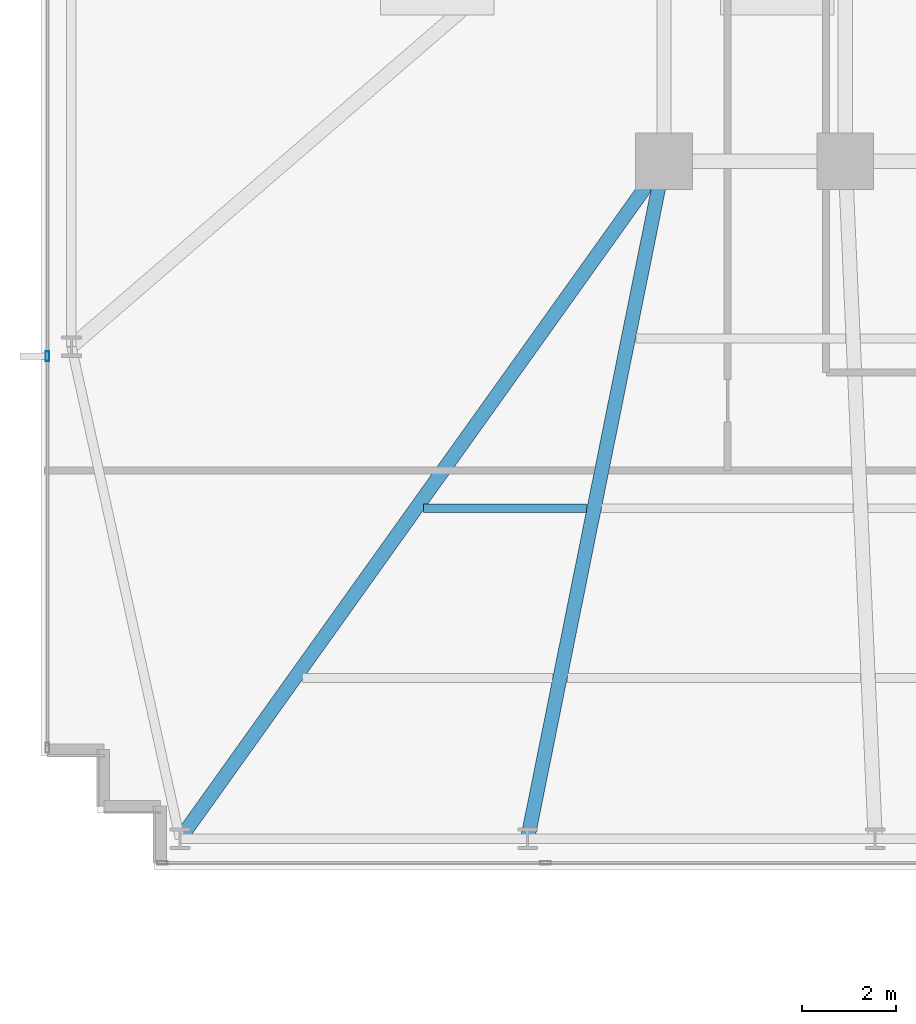
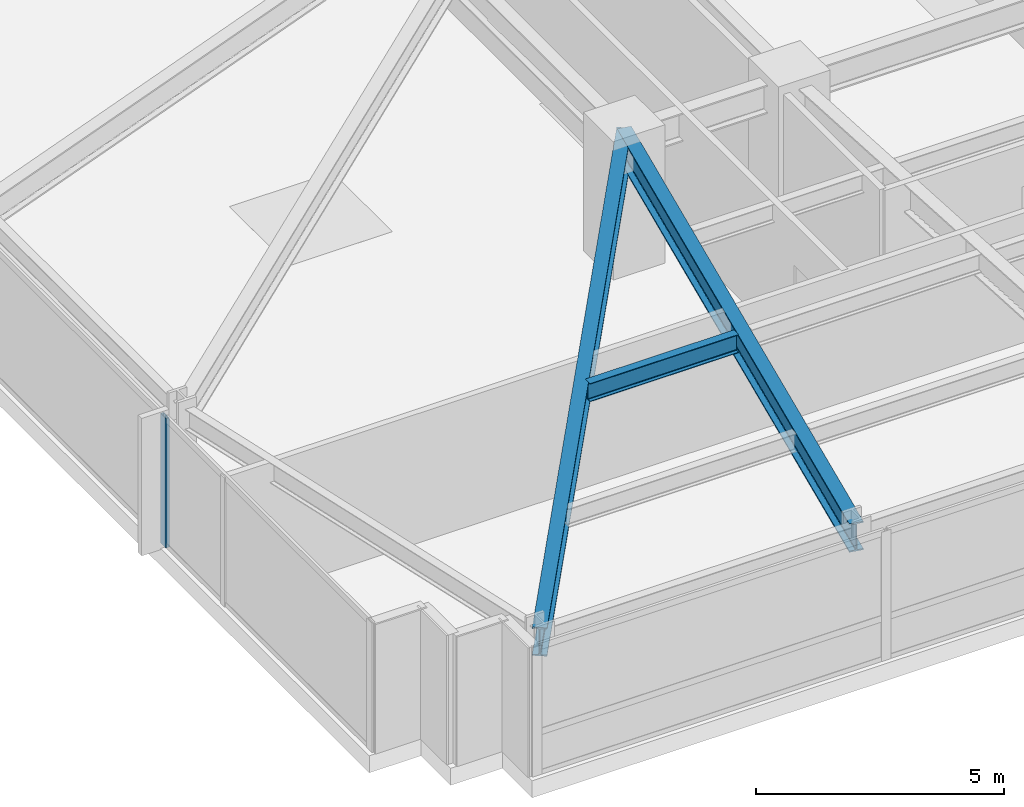
# One storey, part 4 of 31: 3 beams, 1 member, 1 element without a shape of its own.
"""IFC4 building model written with IfcOpenShell, lengths in metres."""

import ifcopenshell
import ifcopenshell.guid

model = None  # the IFC model being written
_history = None  # IfcOwnerHistory: only IFC2X3 demands one
_inside = {}  # id of a spatial element -> (the spatial element, [elements in it])
_under = {}  # id of a project, library or spatial element -> (it, [spatial elements below it])
_declared = {}  # id of a project -> (the project, [libraries it declares])
_typed = {}  # id of a type object -> (the type object, [elements of that type])
_made_of = {}  # id of a material, layer set ... -> (it, [elements and type objects made of it])


def new_model(schema):
    """Start an empty IFC model of exactly this schema.

    Asked for "IFC4X3", IfcOpenShell would pick the latest addendum, in which some entities
    have other attributes; the version numbers below select the first issue.
    IFC2X3 requires an IfcOwnerHistory on every rooted entity: one is made here for all.
    """
    global model, _history
    if schema == "IFC4X3":
        model = ifcopenshell.file(schema_version=(4, 3, 0, 0))
    else:
        model = ifcopenshell.file(schema=schema)
    _inside.clear()
    _under.clear()
    _declared.clear()
    _typed.clear()
    _made_of.clear()
    _history = None
    if model.schema == "IFC2X3":
        org = make("IfcOrganization", Name="unknown")
        user = make(
            "IfcPersonAndOrganization",
            ThePerson=make("IfcPerson", FamilyName="unknown"),
            TheOrganization=org,
        )
        app = make(
            "IfcApplication",
            ApplicationDeveloper=org,
            Version="unknown",
            ApplicationFullName="unknown",
            ApplicationIdentifier="unknown",
        )
        _history = make(
            "IfcOwnerHistory",
            OwningUser=user,
            OwningApplication=app,
            ChangeAction="ADDED",
            CreationDate=0,
        )
    return model


def make(cls, **values):
    """One entity of the class cls with the attributes given. An attribute that is None is left unset."""
    return model.create_entity(
        cls, **{name: value for name, value in values.items() if value is not None}
    )


def rooted(cls, **values):
    """An entity with a GlobalId (a new one), such as an element, a storey or a relation."""
    return make(cls, GlobalId=ifcopenshell.guid.new(), OwnerHistory=_history, **values)


def si_unit(unit_type, name, prefix=None):
    """IfcSIUnit, for example si_unit("LENGTHUNIT", "METRE", prefix="MILLI")."""
    return make("IfcSIUnit", UnitType=unit_type, Prefix=prefix, Name=name)


def assignment(units):
    """IfcUnitAssignment: the units of a project."""
    return None if units is None else make("IfcUnitAssignment", Units=units)


def point(xyz):
    """IfcCartesianPoint."""
    return None if xyz is None else make("IfcCartesianPoint", Coordinates=xyz)


def direction(xyz):
    """IfcDirection."""
    return None if xyz is None else make("IfcDirection", DirectionRatios=xyz)


def frame(location, z_axis=None, x_axis=None):
    """IfcAxis2Placement3D, a coordinate frame: its origin and axes. An axis left out is left unset."""
    return make(
        "IfcAxis2Placement3D",
        Location=point(location),
        Axis=direction(z_axis),
        RefDirection=direction(x_axis),
    )


def frame_2d(location, x_axis=None):
    """IfcAxis2Placement2D, a coordinate frame in the plane: its origin and x axis."""
    return make(
        "IfcAxis2Placement2D", Location=point(location), RefDirection=direction(x_axis)
    )


def origin():
    """The frame at (0, 0, 0) with its axes left unset."""
    return frame((0.0, 0.0, 0.0))


def origin_2d():
    """The frame at (0, 0) in the plane with its x axis left unset."""
    return frame_2d((0.0, 0.0))


def place(relative_to, where):
    """IfcLocalPlacement: puts the frame where relative to a parent placement (None: the world)."""
    return make(
        "IfcLocalPlacement", PlacementRelTo=relative_to, RelativePlacement=where
    )


def context(
    kind, dimensions, precision=None, world=None, true_north=None, identifier=None
):
    """IfcGeometricRepresentationContext, for example the 3D "Model" context."""
    return make(
        "IfcGeometricRepresentationContext",
        ContextIdentifier=identifier,
        ContextType=kind,
        CoordinateSpaceDimension=dimensions,
        Precision=precision,
        WorldCoordinateSystem=world,
        TrueNorth=true_north,
    )


def subcontext(parent, identifier, kind, view, scale=None):
    """IfcGeometricRepresentationSubContext, for example "Body" below "Model"."""
    return make(
        "IfcGeometricRepresentationSubContext",
        ContextIdentifier=identifier,
        ContextType=kind,
        ParentContext=parent,
        TargetScale=scale,
        TargetView=view,
    )


def project(units=None, contexts=None):
    """IfcProject with its units and contexts."""
    return rooted(
        "IfcProject",
        Name="project",
        RepresentationContexts=contexts,
        UnitsInContext=assignment(units),
    )


def spatial(cls, under=None, at=None, **own):
    """A site, building, storey or space (cls), placed at a placement, below another one or the project."""
    s = rooted(cls, ObjectPlacement=at, **own)
    if under is not None:
        _under.setdefault(under.id(), (under, []))[1].append(s)
    return s


def profile(cls, at=None, kind="AREA", **sizes):
    """A parametric profile (cls). Its sizes go by their IFC names, for example OverallWidth=200.0."""
    return make(cls, ProfileType=kind, Position=at, **sizes)


def hollow_rectangle(**sizes):
    """IfcRectangleHollowProfileDef."""
    return profile("IfcRectangleHollowProfileDef", **sizes)


def i_section(**sizes):
    """IfcIShapeProfileDef."""
    return profile("IfcIShapeProfileDef", **sizes)


def extrude(swept, where, along, depth):
    """IfcExtrudedAreaSolid: the profile swept, set in the frame where, extruded along a direction by depth."""
    return make(
        "IfcExtrudedAreaSolid",
        SweptArea=swept,
        Position=where,
        ExtrudedDirection=direction(along),
        Depth=depth,
    )


def shape(context_of_items, identifier, shape_type, items):
    """IfcShapeRepresentation: the items that make up one representation, for example the "Body"."""
    return make(
        "IfcShapeRepresentation",
        ContextOfItems=context_of_items,
        RepresentationIdentifier=identifier,
        RepresentationType=shape_type,
        Items=items,
    )


def material(Name=None, Category=None):
    """IfcMaterial."""
    return make("IfcMaterial", Name=Name, Category=Category)


def material_profile(
    of_material, cross_section, Name=None, Category=None, Priority=None
):
    """IfcMaterialProfile: a cross section and its material."""
    return make(
        "IfcMaterialProfile",
        Name=Name,
        Material=of_material,
        Profile=cross_section,
        Priority=Priority,
        Category=Category,
    )


def profile_set(profiles, Name=None, composite=None):
    """IfcMaterialProfileSet."""
    return make(
        "IfcMaterialProfileSet",
        Name=Name,
        MaterialProfiles=profiles,
        CompositeProfile=composite,
    )


def made_of(thing, what):
    """Note that an element or type object is made of a material, layer set ...; save() writes the relation."""
    if what is not None:
        _made_of.setdefault(what.id(), (what, []))[1].append(thing)
    return thing


def type_object(cls, material=None, **own):
    """A type object (cls), such as IfcWallType, which elements share."""
    return made_of(rooted(cls, **own), material)


def element(
    cls,
    number,
    at=None,
    inside=None,
    cuts=None,
    type_object=None,
    material=None,
    context=None,
    identifier="Body",
    shape_type=None,
    held_by="IfcProductDefinitionShape",
    body=None,
    shapes=None,
    **own,
):
    """One element of the class cls, such as IfcWall. Its Tag is "e" and its number.

    at: its placement. inside: the storey or other place that contains it. cuts: it is an
    opening in that element (IfcRelVoidsElement). A single representation is given by context,
    identifier, shape_type and body (its items); several are given by shapes. held_by: the class
    of the entity that holds the representations. save() writes the other relations.
    """
    e = rooted(cls, Tag="e%d" % number, ObjectPlacement=at, **own)
    if body is not None:
        shapes = [shape(context, identifier, shape_type, body)]
    if shapes is not None:
        e.Representation = make(held_by, Representations=shapes)
    if inside is not None:
        _inside.setdefault(inside.id(), (inside, []))[1].append(e)
    if cuts is not None:
        rooted(
            "IfcRelVoidsElement", RelatingBuildingElement=cuts, RelatedOpeningElement=e
        )
    if type_object is not None:
        _typed.setdefault(type_object.id(), (type_object, []))[1].append(e)
    return made_of(e, material)


def aggregate(whole, parts):
    """IfcRelAggregates: a whole, such as a stair, and the parts it consists of."""
    return rooted("IfcRelAggregates", RelatingObject=whole, RelatedObjects=parts)


def save(model, path):
    """Write the relations noted so far, then the file.

    IfcRelAggregates (storeys below a building ...), IfcRelContainedInSpatialStructure (elements
    in a storey), IfcRelDefinesByType, IfcRelAssociatesMaterial and IfcRelDeclares: one each for
    every whole, place, type object, material and project.
    """
    for whole, parts in _under.values():
        aggregate(whole, parts)
    for where, things in _inside.values():
        rooted(
            "IfcRelContainedInSpatialStructure",
            RelatedElements=things,
            RelatingStructure=where,
        )
    for kind, things in _typed.values():
        rooted("IfcRelDefinesByType", RelatedObjects=things, RelatingType=kind)
    for what, things in _made_of.values():
        rooted("IfcRelAssociatesMaterial", RelatedObjects=things, RelatingMaterial=what)
    for by, libraries in _declared.values():
        rooted("IfcRelDeclares", RelatingContext=by, RelatedDefinitions=libraries)
    model.write(path)


model = new_model("IFC4")

# Units and contexts
model_context = context("Model", 3, precision=1e-05, world=origin(), true_north=direction((0.0, 1.0)))
body_context = subcontext(model_context, "Body", "Model", "MODEL_VIEW")
ifc_project = project(units=[si_unit("LENGTHUNIT", "METRE"), si_unit("AREAUNIT", "SQUARE_METRE"), si_unit("VOLUMEUNIT", "CUBIC_METRE"), si_unit("PLANEANGLEUNIT", "RADIAN"), si_unit("MASSUNIT", "GRAM", prefix="KILO")], contexts=[model_context])

# Site, building, storey
site_placement = place(None, origin())
site = spatial("IfcSite", under=ifc_project, at=site_placement, CompositionType="ELEMENT")
building_placement = place(site_placement, origin())
building = spatial("IfcBuilding", under=site, at=building_placement, Name="Yelkora Congress Tower", CompositionType="ELEMENT")
storey_placement = place(building_placement, frame((0.0, 0.0, 30.39990234375)))
storey = spatial("IfcBuildingStorey", under=building, at=storey_placement, Name="L06", CompositionType="ELEMENT", Elevation=30.39990234375)

# Beams
ifc_material_1 = material(Name="Steel S355J2", Category="steel")
ifc_material_profile_1 = material_profile(ifc_material_1, i_section(OverallWidth=0.300048828125, OverallDepth=0.699951171875, WebThickness=0.01708984375, FlangeThickness=0.031982421875, FilletRadius=0.027099609375, at=origin_2d()), Name="HEB 700")
ifc_profile_set_1 = profile_set([ifc_material_profile_1], Name="Steel S355J2")
beam_type_1 = type_object("IfcBeamType", Name="BM-GIRD-HEB700", PredefinedType="BEAM", material=ifc_profile_set_1)
beam_1_placement = place(storey_placement, frame((8.949951171875, 10.85009765625, 2.830078125), z_axis=(0.581242122521, 0.813730664906, 0.0), x_axis=(-0.813730664906, 0.581242122521, 0.0)))
element("IfcBeam", 1, at=beam_1_placement, inside=storey, type_object=beam_type_1, Name="L06 Primary Frame Girder S01", PredefinedType="BEAM", context=body_context, shape_type="SweptSolid", body=[
    extrude(i_section(OverallWidth=0.300048828125, OverallDepth=0.699951171875, WebThickness=0.01708984375, FlangeThickness=0.031982421875, FilletRadius=0.027099609375, at=origin_2d()), origin(), (0.0, 0.0, 1.0), 17.634765625),
])
beam_2_placement = place(storey_placement, frame((16.3125, 10.85009765625, 2.830078125), z_axis=(0.197264295931, 0.980350344291, 0.0), x_axis=(-0.980350344291, 0.197264295931, 0.0)))
element("IfcBeam", 2, at=beam_2_placement, inside=storey, type_object=beam_type_1, Name="L06 Primary Frame Girder S02", PredefinedType="BEAM", context=body_context, shape_type="SweptSolid", body=[
    extrude(i_section(OverallWidth=0.300048828125, OverallDepth=0.699951171875, WebThickness=0.01708984375, FlangeThickness=0.031982421875, FilletRadius=0.027099609375, at=origin_2d()), origin(), (0.0, 0.0, 1.0), 14.637451171875),
])
ifc_material_profile_2 = material_profile(ifc_material_1, i_section(OverallWidth=0.18994140625, OverallDepth=0.449951171875, WebThickness=0.009521484375, FlangeThickness=0.0146484375, FilletRadius=0.02099609375, at=origin_2d()), Name="IPE 450")
ifc_profile_set_2 = profile_set([ifc_material_profile_2], Name="Steel S355J2")
beam_type_2 = type_object("IfcBeamType", Name="BM-JOIST-IPE450", PredefinedType="JOIST", material=ifc_profile_set_2)
beam_3_placement = place(storey_placement, frame((14.110107421875, 17.85009765625, 2.955078125), z_axis=(1.0, 0.0, 0.0), x_axis=(0.0, 1.0, 0.0)))
element("IfcBeam", 3, at=beam_3_placement, inside=storey, type_object=beam_type_2, Name="L06 Composite Floor Joist 9", PredefinedType="JOIST", context=body_context, shape_type="SweptSolid", body=[
    extrude(i_section(OverallWidth=0.18994140625, OverallDepth=0.449951171875, WebThickness=0.009521484375, FlangeThickness=0.0146484375, FilletRadius=0.02099609375, at=origin_2d()), origin(), (0.0, 0.0, 1.0), 3.450927734375),
])

# Curtain wall, member
ifc_material_2 = material(Name="Anodised aluminium and insulated glass", Category="aluminium")
curtain_wall_type = type_object("IfcCurtainWallType", Name="CW-SYS-B1", PredefinedType="NOTDEFINED", material=ifc_material_2)
curtain_wall_placement = place(storey_placement, origin())
curtain_wall = element("IfcCurtainWall", 4, at=curtain_wall_placement, inside=storey, type_object=curtain_wall_type, Name="L06 Unitised Curtain Wall 5", PredefinedType="NOTDEFINED")
ifc_material_3 = material(Name="Anodised aluminium 6063-T6", Category="aluminium")
ifc_material_profile_3 = material_profile(ifc_material_3, hollow_rectangle(XDim=0.074951171875, YDim=0.219970703125, WallThickness=0.0048828125, at=origin_2d()), Name="ALU 75x220x5")
ifc_profile_set_3 = profile_set([ifc_material_profile_3], Name="Anodised aluminium 6063-T6")
member_type = type_object("IfcMemberType", Name="MEM-ML-B1", PredefinedType="MULLION", material=ifc_profile_set_3)
member_placement = place(storey_placement, frame((6.139892578125, 21.070068359375, 0.0), z_axis=(0.0, 0.0, 1.0), x_axis=(-1.0, 0.0, 0.0)))
member = element("IfcMember", 5, at=member_placement, type_object=member_type, Name="CW-B1 mullion 2", PredefinedType="MULLION", context=body_context, shape_type="SweptSolid", body=[
    extrude(hollow_rectangle(XDim=0.074951171875, YDim=0.219970703125, WallThickness=0.0048828125, at=origin_2d()), origin(), (0.0, 0.0, 1.0), 3.18017578125),
])
aggregate(curtain_wall, [member])

save(model, "model.ifc")
